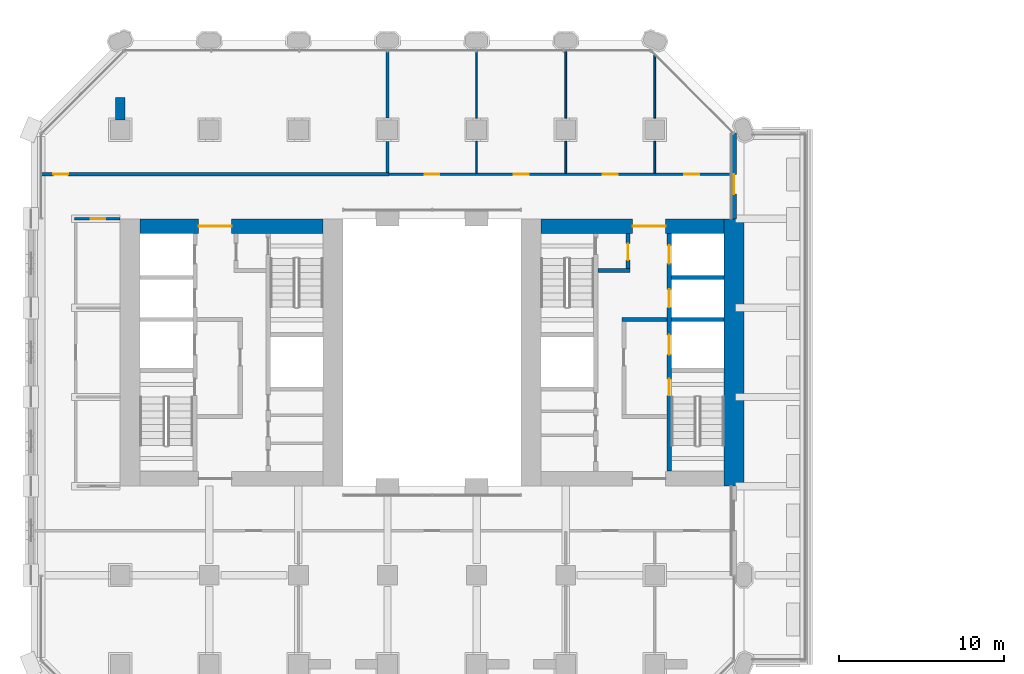
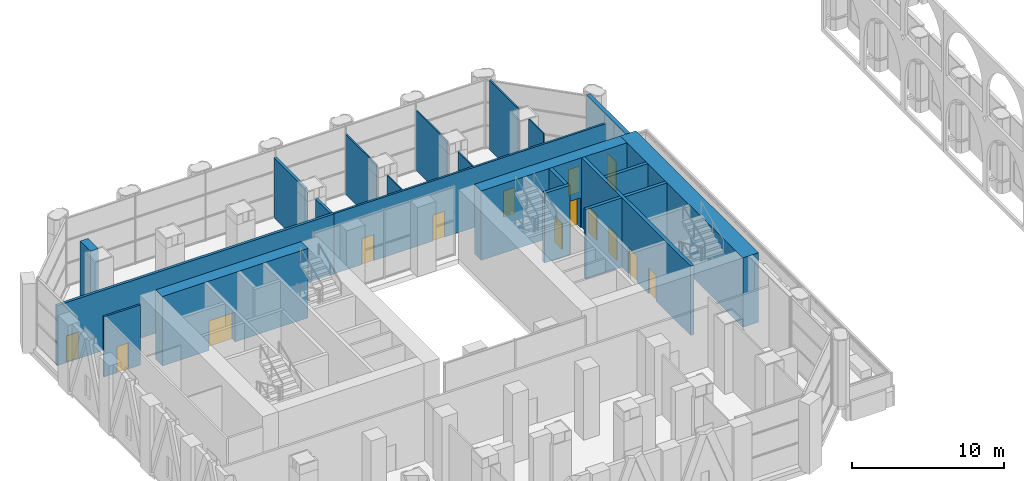
# One storey, part 14 of 34: 22 walls, 14 doors, 14 openings.
"""IFC4 building model written with IfcOpenShell, lengths in metres."""

import ifcopenshell
import ifcopenshell.guid

model = None  # the IFC model being written
_history = None  # IfcOwnerHistory: only IFC2X3 demands one
_inside = {}  # id of a spatial element -> (the spatial element, [elements in it])
_under = {}  # id of a project, library or spatial element -> (it, [spatial elements below it])
_declared = {}  # id of a project -> (the project, [libraries it declares])
_typed = {}  # id of a type object -> (the type object, [elements of that type])
_made_of = {}  # id of a material, layer set ... -> (it, [elements and type objects made of it])


def new_model(schema):
    """Start an empty IFC model of exactly this schema.

    Asked for "IFC4X3", IfcOpenShell would pick the latest addendum, in which some entities
    have other attributes; the version numbers below select the first issue.
    IFC2X3 requires an IfcOwnerHistory on every rooted entity: one is made here for all.
    """
    global model, _history
    if schema == "IFC4X3":
        model = ifcopenshell.file(schema_version=(4, 3, 0, 0))
    else:
        model = ifcopenshell.file(schema=schema)
    _inside.clear()
    _under.clear()
    _declared.clear()
    _typed.clear()
    _made_of.clear()
    _history = None
    if model.schema == "IFC2X3":
        org = make("IfcOrganization", Name="unknown")
        user = make(
            "IfcPersonAndOrganization",
            ThePerson=make("IfcPerson", FamilyName="unknown"),
            TheOrganization=org,
        )
        app = make(
            "IfcApplication",
            ApplicationDeveloper=org,
            Version="unknown",
            ApplicationFullName="unknown",
            ApplicationIdentifier="unknown",
        )
        _history = make(
            "IfcOwnerHistory",
            OwningUser=user,
            OwningApplication=app,
            ChangeAction="ADDED",
            CreationDate=0,
        )
    return model


def make(cls, **values):
    """One entity of the class cls with the attributes given. An attribute that is None is left unset."""
    return model.create_entity(
        cls, **{name: value for name, value in values.items() if value is not None}
    )


def rooted(cls, **values):
    """An entity with a GlobalId (a new one), such as an element, a storey or a relation."""
    return make(cls, GlobalId=ifcopenshell.guid.new(), OwnerHistory=_history, **values)


def si_unit(unit_type, name, prefix=None):
    """IfcSIUnit, for example si_unit("LENGTHUNIT", "METRE", prefix="MILLI")."""
    return make("IfcSIUnit", UnitType=unit_type, Prefix=prefix, Name=name)


def assignment(units):
    """IfcUnitAssignment: the units of a project."""
    return None if units is None else make("IfcUnitAssignment", Units=units)


def point(xyz):
    """IfcCartesianPoint."""
    return None if xyz is None else make("IfcCartesianPoint", Coordinates=xyz)


def direction(xyz):
    """IfcDirection."""
    return None if xyz is None else make("IfcDirection", DirectionRatios=xyz)


def frame(location, z_axis=None, x_axis=None):
    """IfcAxis2Placement3D, a coordinate frame: its origin and axes. An axis left out is left unset."""
    return make(
        "IfcAxis2Placement3D",
        Location=point(location),
        Axis=direction(z_axis),
        RefDirection=direction(x_axis),
    )


def frame_2d(location, x_axis=None):
    """IfcAxis2Placement2D, a coordinate frame in the plane: its origin and x axis."""
    return make(
        "IfcAxis2Placement2D", Location=point(location), RefDirection=direction(x_axis)
    )


def origin():
    """The frame at (0, 0, 0) with its axes left unset."""
    return frame((0.0, 0.0, 0.0))


def place(relative_to, where):
    """IfcLocalPlacement: puts the frame where relative to a parent placement (None: the world)."""
    return make(
        "IfcLocalPlacement", PlacementRelTo=relative_to, RelativePlacement=where
    )


def context(
    kind, dimensions, precision=None, world=None, true_north=None, identifier=None
):
    """IfcGeometricRepresentationContext, for example the 3D "Model" context."""
    return make(
        "IfcGeometricRepresentationContext",
        ContextIdentifier=identifier,
        ContextType=kind,
        CoordinateSpaceDimension=dimensions,
        Precision=precision,
        WorldCoordinateSystem=world,
        TrueNorth=true_north,
    )


def subcontext(parent, identifier, kind, view, scale=None):
    """IfcGeometricRepresentationSubContext, for example "Body" below "Model"."""
    return make(
        "IfcGeometricRepresentationSubContext",
        ContextIdentifier=identifier,
        ContextType=kind,
        ParentContext=parent,
        TargetScale=scale,
        TargetView=view,
    )


def project(units=None, contexts=None):
    """IfcProject with its units and contexts."""
    return rooted(
        "IfcProject",
        Name="project",
        RepresentationContexts=contexts,
        UnitsInContext=assignment(units),
    )


def spatial(cls, under=None, at=None, **own):
    """A site, building, storey or space (cls), placed at a placement, below another one or the project."""
    s = rooted(cls, ObjectPlacement=at, **own)
    if under is not None:
        _under.setdefault(under.id(), (under, []))[1].append(s)
    return s


def profile(cls, at=None, kind="AREA", **sizes):
    """A parametric profile (cls). Its sizes go by their IFC names, for example OverallWidth=200.0."""
    return make(cls, ProfileType=kind, Position=at, **sizes)


def rectangle(**sizes):
    """IfcRectangleProfileDef."""
    return profile("IfcRectangleProfileDef", **sizes)


def extrude(swept, where, along, depth):
    """IfcExtrudedAreaSolid: the profile swept, set in the frame where, extruded along a direction by depth."""
    return make(
        "IfcExtrudedAreaSolid",
        SweptArea=swept,
        Position=where,
        ExtrudedDirection=direction(along),
        Depth=depth,
    )


def shape(context_of_items, identifier, shape_type, items):
    """IfcShapeRepresentation: the items that make up one representation, for example the "Body"."""
    return make(
        "IfcShapeRepresentation",
        ContextOfItems=context_of_items,
        RepresentationIdentifier=identifier,
        RepresentationType=shape_type,
        Items=items,
    )


def material(Name=None, Category=None):
    """IfcMaterial."""
    return make("IfcMaterial", Name=Name, Category=Category)


def layer(
    of_material, thickness, ventilated=None, Name=None, Category=None, Priority=None
):
    """IfcMaterialLayer: one layer of a wall or slab, of a material (None: an air gap)."""
    return make(
        "IfcMaterialLayer",
        Material=of_material,
        LayerThickness=thickness,
        IsVentilated=ventilated,
        Name=Name,
        Category=Category,
        Priority=Priority,
    )


def layer_set(layers, Name=None):
    """IfcMaterialLayerSet."""
    return make("IfcMaterialLayerSet", MaterialLayers=layers, LayerSetName=Name)


def made_of(thing, what):
    """Note that an element or type object is made of a material, layer set ...; save() writes the relation."""
    if what is not None:
        _made_of.setdefault(what.id(), (what, []))[1].append(thing)
    return thing


def type_object(cls, material=None, **own):
    """A type object (cls), such as IfcWallType, which elements share."""
    return made_of(rooted(cls, **own), material)


def element(
    cls,
    number,
    at=None,
    inside=None,
    cuts=None,
    type_object=None,
    material=None,
    context=None,
    identifier="Body",
    shape_type=None,
    held_by="IfcProductDefinitionShape",
    body=None,
    shapes=None,
    **own,
):
    """One element of the class cls, such as IfcWall. Its Tag is "e" and its number.

    at: its placement. inside: the storey or other place that contains it. cuts: it is an
    opening in that element (IfcRelVoidsElement). A single representation is given by context,
    identifier, shape_type and body (its items); several are given by shapes. held_by: the class
    of the entity that holds the representations. save() writes the other relations.
    """
    e = rooted(cls, Tag="e%d" % number, ObjectPlacement=at, **own)
    if body is not None:
        shapes = [shape(context, identifier, shape_type, body)]
    if shapes is not None:
        e.Representation = make(held_by, Representations=shapes)
    if inside is not None:
        _inside.setdefault(inside.id(), (inside, []))[1].append(e)
    if cuts is not None:
        rooted(
            "IfcRelVoidsElement", RelatingBuildingElement=cuts, RelatedOpeningElement=e
        )
    if type_object is not None:
        _typed.setdefault(type_object.id(), (type_object, []))[1].append(e)
    return made_of(e, material)


def fill(opening, filler):
    """IfcRelFillsElement: the door or window that sits in an opening."""
    return rooted(
        "IfcRelFillsElement",
        RelatingOpeningElement=opening,
        RelatedBuildingElement=filler,
    )


def aggregate(whole, parts):
    """IfcRelAggregates: a whole, such as a stair, and the parts it consists of."""
    return rooted("IfcRelAggregates", RelatingObject=whole, RelatedObjects=parts)


def save(model, path):
    """Write the relations noted so far, then the file.

    IfcRelAggregates (storeys below a building ...), IfcRelContainedInSpatialStructure (elements
    in a storey), IfcRelDefinesByType, IfcRelAssociatesMaterial and IfcRelDeclares: one each for
    every whole, place, type object, material and project.
    """
    for whole, parts in _under.values():
        aggregate(whole, parts)
    for where, things in _inside.values():
        rooted(
            "IfcRelContainedInSpatialStructure",
            RelatedElements=things,
            RelatingStructure=where,
        )
    for kind, things in _typed.values():
        rooted("IfcRelDefinesByType", RelatedObjects=things, RelatingType=kind)
    for what, things in _made_of.values():
        rooted("IfcRelAssociatesMaterial", RelatedObjects=things, RelatingMaterial=what)
    for by, libraries in _declared.values():
        rooted("IfcRelDeclares", RelatingContext=by, RelatedDefinitions=libraries)
    model.write(path)


model = new_model("IFC4")

# Units and contexts
model_context = context("Model", 3, precision=1e-05, world=origin(), true_north=direction((0.0, 1.0)))
body_context = subcontext(model_context, "Body", "Model", "MODEL_VIEW")
ifc_project = project(units=[si_unit("LENGTHUNIT", "METRE"), si_unit("AREAUNIT", "SQUARE_METRE"), si_unit("VOLUMEUNIT", "CUBIC_METRE"), si_unit("PLANEANGLEUNIT", "RADIAN"), si_unit("MASSUNIT", "GRAM", prefix="KILO")], contexts=[model_context])

# Site, building, storey
site_placement = place(None, origin())
site = spatial("IfcSite", under=ifc_project, at=site_placement, CompositionType="ELEMENT")
building_placement = place(site_placement, origin())
building = spatial("IfcBuilding", under=site, at=building_placement, Name="Tabaq Tower and Sports Hall", CompositionType="ELEMENT")
storey_placement = place(building_placement, frame((0.0, 0.0, 8.39990234375)))
storey = spatial("IfcBuildingStorey", under=building, at=storey_placement, Name="L01", CompositionType="ELEMENT", Elevation=8.39990234375)

# Wall
ifc_material_1 = material(Name="Concrete C60/75", Category="concrete")
ifc_layer_1 = layer(ifc_material_1, 1.199951171875)
ifc_layer_set_1 = layer_set([ifc_layer_1], Name="Core wall 1200 Concrete C60/75")
wall_type_1 = type_object("IfcWallType", Name="Core wall 1200 Concrete C60/75", PredefinedType="SOLIDWALL", material=ifc_layer_set_1)
wall_1_placement = place(storey_placement, frame((42.60009765625, 32.39990234375, 0.0), z_axis=(0.0, 0.0, 1.0), x_axis=(0.0, -1.0, 0.0)))
element("IfcWall", 1, at=wall_1_placement, inside=storey, type_object=wall_type_1, Name="Core wall E L01", PredefinedType="SOLIDWALL", context=body_context, shape_type="SweptSolid", body=[
    extrude(rectangle(XDim=16.199951171875, YDim=1.199951171875, at=frame_2d((8.10009765625, 0.0))), origin(), (0.0, 0.0, 1.0), 5.60009765625),
])

# Wall, opening, door
ifc_material_2 = material(Name="Concrete C60/75", Category="concrete")
ifc_layer_2 = layer(ifc_material_2, 0.89990234375)
ifc_layer_set_2 = layer_set([ifc_layer_2], Name="Core wall 900 Concrete C60/75")
wall_type_2 = type_object("IfcWallType", Name="Core wall 900 Concrete C60/75", PredefinedType="SOLIDWALL", material=ifc_layer_set_2)
wall_2_placement = place(storey_placement, frame((6.60009765625, 31.949951171875, 0.0), z_axis=(0.0, 0.0, 1.0), x_axis=(1.0, 0.0, 0.0)))
wall_2 = element("IfcWall", 2, at=wall_2_placement, inside=storey, type_object=wall_type_2, Name="Core wall W L01", PredefinedType="SOLIDWALL", context=body_context, shape_type="SweptSolid", body=[
    extrude(rectangle(XDim=11.099853515625, YDim=0.89990234375, at=frame_2d((5.5498046875, 0.0))), origin(), (0.0, 0.0, 1.0), 5.60009765625),
])
opening_1_placement = place(wall_2_placement, frame((3.550048828125, 0.0, 0.0)))
opening_1 = element("IfcOpeningElement", 3, at=opening_1_placement, cuts=wall_2, Name="Opening PD-WL01-02", PredefinedType="OPENING", context=body_context, shape_type="SweptSolid", body=[
    extrude(rectangle(XDim=2.0, YDim=2.39990234375, at=frame_2d((1.0, 1.199951171875))), frame((0.0, 0.449951171875, 0.0), z_axis=(0.0, -1.0, 0.0), x_axis=(1.0, 0.0, 0.0)), (0.0, 0.0, 1.0), 0.89990234375),
])
ifc_material_3 = material(Name="Steel fire door", Category="steel")
door_type_1 = type_object("IfcDoorType", Name="Core entrance door 2000", OperationType="DOUBLE_DOOR_SINGLE_SWING", PredefinedType="DOOR", material=ifc_material_3)
door_1_placement = place(opening_1_placement, origin())
door_1 = element("IfcDoor", 4, at=door_1_placement, inside=storey, type_object=door_type_1, Name="Core entrance north W L01", OperationType="DOUBLE_DOOR_SINGLE_SWING", OverallHeight=2.39990234375, OverallWidth=2.0, PredefinedType="DOOR", context=body_context, shape_type="SweptSolid", body=[
    extrude(rectangle(XDim=2.0, YDim=2.39990234375, at=frame_2d((1.0, 1.199951171875))), frame((0.0, 0.02490234375, 0.0), z_axis=(0.0, -1.0, 0.0), x_axis=(1.0, 0.0, 0.0)), (0.0, 0.0, 1.0), 0.050048828125),
])
fill(opening_1, door_1)

wall_3_placement = place(storey_placement, frame((30.89990234375, 31.949951171875, 0.0), z_axis=(0.0, 0.0, 1.0), x_axis=(1.0, 0.0, 0.0)))
wall_3 = element("IfcWall", 5, at=wall_3_placement, inside=storey, type_object=wall_type_2, Name="Core wall E L01", PredefinedType="SOLIDWALL", context=body_context, shape_type="SweptSolid", body=[
    extrude(rectangle(XDim=11.10009765625, YDim=0.89990234375, at=frame_2d((5.550048828125, 0.0))), origin(), (0.0, 0.0, 1.0), 5.60009765625),
])
opening_2_placement = place(wall_3_placement, frame((5.550048828125, 0.0, 0.0)))
opening_2 = element("IfcOpeningElement", 6, at=opening_2_placement, cuts=wall_3, Name="Opening PD-EL01-02", PredefinedType="OPENING", context=body_context, shape_type="SweptSolid", body=[
    extrude(rectangle(XDim=2.0, YDim=2.39990234375, at=frame_2d((1.0, 1.199951171875))), frame((0.0, 0.449951171875, 0.0), z_axis=(0.0, -1.0, 0.0), x_axis=(1.0, 0.0, 0.0)), (0.0, 0.0, 1.0), 0.89990234375),
])
door_2_placement = place(opening_2_placement, origin())
door_2 = element("IfcDoor", 7, at=door_2_placement, inside=storey, type_object=door_type_1, Name="Core entrance north E L01", OperationType="DOUBLE_DOOR_SINGLE_SWING", OverallHeight=2.39990234375, OverallWidth=2.0, PredefinedType="DOOR", context=body_context, shape_type="SweptSolid", body=[
    extrude(rectangle(XDim=2.0, YDim=2.39990234375, at=frame_2d((1.0, 1.199951171875))), frame((0.0, 0.02490234375, 0.0), z_axis=(0.0, -1.0, 0.0), x_axis=(1.0, 0.0, 0.0)), (0.0, 0.0, 1.0), 0.050048828125),
])
fill(opening_2, door_2)

ifc_material_4 = material(Name="Blockwork", Category="masonry")
ifc_layer_3 = layer(ifc_material_4, 0.199951171875)
ifc_layer_set_3 = layer_set([ifc_layer_3], Name="Fire compartment wall 200 Blockwork")
wall_type_3 = type_object("IfcWallType", Name="Fire compartment wall 200 Blockwork", PredefinedType="PARTITIONING", material=ifc_layer_set_3)
wall_4_placement = place(storey_placement, frame((0.60009765625, 35.10009765625, 0.0), z_axis=(0.0, 0.0, 1.0), x_axis=(1.0, 0.0, 0.0)))
wall_4 = element("IfcWall", 8, at=wall_4_placement, inside=storey, type_object=wall_type_3, Name="Compartment wall L01", PredefinedType="PARTITIONING", context=body_context, shape_type="SweptSolid", body=[
    extrude(rectangle(XDim=21.099853515625, YDim=0.199951171875, at=frame_2d((10.5498046875, 0.0))), origin(), (0.0, 0.0, 1.0), 4.85009765625),
])
opening_3_placement = place(wall_4_placement, frame((0.75, 0.0, 0.0)))
opening_3 = element("IfcOpeningElement", 9, at=opening_3_placement, cuts=wall_4, Name="Opening L01-001", PredefinedType="OPENING", context=body_context, shape_type="SweptSolid", body=[
    extrude(rectangle(XDim=0.89990234375, YDim=2.10009765625, at=frame_2d((0.449951171875, 1.050048828125))), frame((0.0, 0.10009765625, 0.0), z_axis=(0.0, -1.0, 0.0), x_axis=(1.0, 0.0, 0.0)), (0.0, 0.0, 1.0), 0.199951171875),
])
ifc_material_5 = material(Name="Timber leaf in steel frame", Category="steel")
door_type_2 = type_object("IfcDoorType", Name="Internal door 900 right hand", OperationType="SINGLE_SWING_RIGHT", PredefinedType="DOOR", material=ifc_material_5)
door_3_placement = place(opening_3_placement, origin())
door_3 = element("IfcDoor", 10, at=door_3_placement, inside=storey, type_object=door_type_2, Name="Internal door L01-001", OperationType="SINGLE_SWING_RIGHT", OverallHeight=2.10009765625, OverallWidth=0.89990234375, PredefinedType="DOOR", context=body_context, shape_type="SweptSolid", body=[
    extrude(rectangle(XDim=0.89990234375, YDim=2.10009765625, at=frame_2d((0.449951171875, 1.050048828125))), frame((0.0, 0.02490234375, 0.0), z_axis=(0.0, -1.0, 0.0), x_axis=(1.0, 0.0, 0.0)), (0.0, 0.0, 1.0), 0.050048828125),
])
fill(opening_3, door_3)

# Walls
wall_5_placement = place(storey_placement, frame((21.60009765625, 35.199951171875, 0.0), z_axis=(0.0, 0.0, 1.0), x_axis=(0.0, 1.0, 0.0)))
element("IfcWall", 11, at=wall_5_placement, inside=storey, type_object=wall_type_3, Name="Compartment wall L01", PredefinedType="PARTITIONING", context=body_context, shape_type="SweptSolid", body=[
    extrude(rectangle(XDim=1.8994140625, YDim=0.199951171875, at=frame_2d((0.94970703125, 0.0))), origin(), (0.0, 0.0, 1.0), 4.85009765625),
])
wall_6_placement = place(storey_placement, frame((21.60009765625, 38.500732421875, 0.0), z_axis=(0.0, 0.0, 1.0), x_axis=(0.0, 1.0, 0.0)))
element("IfcWall", 12, at=wall_6_placement, inside=storey, type_object=wall_type_3, Name="Compartment wall L01", PredefinedType="PARTITIONING", context=body_context, shape_type="SweptSolid", body=[
    extrude(rectangle(XDim=4.099365234375, YDim=0.199951171875, at=frame_2d((2.0498046875, 0.0))), origin(), (0.0, 0.0, 1.0), 4.85009765625),
])
ifc_material_6 = material(Name="Gypsum board on steel studs", Category="steel")
ifc_layer_4 = layer(ifc_material_6, 0.10009765625)
ifc_layer_set_4 = layer_set([ifc_layer_4], Name="Partition 100 Gypsum board")
wall_type_4 = type_object("IfcWallType", Name="Partition 100 Gypsum board", PredefinedType="PARTITIONING", material=ifc_layer_set_4)
wall_7_placement = place(storey_placement, frame((27.0, 35.175048828125, 0.0), z_axis=(0.0, 0.0, 1.0), x_axis=(0.0, 1.0, 0.0)))
element("IfcWall", 13, at=wall_7_placement, inside=storey, type_object=wall_type_4, Name="Partition wall L01", PredefinedType="PARTITIONING", context=body_context, shape_type="SweptSolid", body=[
    extrude(rectangle(XDim=1.92431640625, YDim=0.10009765625, at=frame_2d((0.962158203125, 0.0))), origin(), (0.0, 0.0, 1.0), 4.85009765625),
])
wall_8_placement = place(storey_placement, frame((27.0, 38.500732421875, 0.0), z_axis=(0.0, 0.0, 1.0), x_axis=(0.0, 1.0, 0.0)))
element("IfcWall", 14, at=wall_8_placement, inside=storey, type_object=wall_type_4, Name="Partition wall L01", PredefinedType="PARTITIONING", context=body_context, shape_type="SweptSolid", body=[
    extrude(rectangle(XDim=4.099365234375, YDim=0.10009765625, at=frame_2d((2.0498046875, 0.0))), origin(), (0.0, 0.0, 1.0), 4.85009765625),
])
wall_9_placement = place(storey_placement, frame((32.39990234375, 35.175048828125, 0.0), z_axis=(0.0, 0.0, 1.0), x_axis=(0.0, 1.0, 0.0)))
element("IfcWall", 15, at=wall_9_placement, inside=storey, type_object=wall_type_4, Name="Partition wall L01", PredefinedType="PARTITIONING", context=body_context, shape_type="SweptSolid", body=[
    extrude(rectangle(XDim=1.92431640625, YDim=0.10009765625, at=frame_2d((0.962158203125, 0.0))), origin(), (0.0, 0.0, 1.0), 4.85009765625),
])
wall_10_placement = place(storey_placement, frame((32.39990234375, 38.500732421875, 0.0), z_axis=(0.0, 0.0, 1.0), x_axis=(0.0, 1.0, 0.0)))
element("IfcWall", 16, at=wall_10_placement, inside=storey, type_object=wall_type_4, Name="Partition wall L01", PredefinedType="PARTITIONING", context=body_context, shape_type="SweptSolid", body=[
    extrude(rectangle(XDim=4.099365234375, YDim=0.10009765625, at=frame_2d((2.0498046875, 0.0))), origin(), (0.0, 0.0, 1.0), 4.85009765625),
])
wall_11_placement = place(storey_placement, frame((37.800048828125, 35.175048828125, 0.0), z_axis=(0.0, 0.0, 1.0), x_axis=(0.0, 1.0, 0.0)))
element("IfcWall", 17, at=wall_11_placement, inside=storey, type_object=wall_type_4, Name="Partition wall L01", PredefinedType="PARTITIONING", context=body_context, shape_type="SweptSolid", body=[
    extrude(rectangle(XDim=1.92431640625, YDim=0.10009765625, at=frame_2d((0.962158203125, 0.0))), origin(), (0.0, 0.0, 1.0), 5.60009765625),
])
wall_12_placement = place(storey_placement, frame((37.800048828125, 38.500732421875, 0.0), z_axis=(0.0, 0.0, 1.0), x_axis=(0.0, 1.0, 0.0)))
element("IfcWall", 18, at=wall_12_placement, inside=storey, type_object=wall_type_4, Name="Partition wall L01", PredefinedType="PARTITIONING", context=body_context, shape_type="SweptSolid", body=[
    extrude(rectangle(XDim=3.80078125, YDim=0.10009765625, at=frame_2d((1.900390625, 0.0))), origin(), (0.0, 0.0, 1.0), 5.60009765625),
])
ifc_material_7 = material(Name="Concrete C60/75", Category="concrete")
ifc_layer_5 = layer(ifc_material_7, 0.60009765625)
ifc_layer_set_5 = layer_set([ifc_layer_5], Name="RC TRANSFER WALL 600 C60/75")
wall_type_5 = type_object("IfcWallType", Name="RC TRANSFER WALL 600 C60/75", PredefinedType="SHEAR", material=ifc_layer_set_5)
wall_13_placement = place(storey_placement, frame((5.39990234375, 38.39990234375, 0.0), z_axis=(0.0, 0.0, 1.0), x_axis=(0.0, 1.0, 0.0)))
element("IfcWall", 19, at=wall_13_placement, inside=storey, type_object=wall_type_5, Name="Transfer Wall L01 West 1", PredefinedType="SHEAR", context=body_context, shape_type="SweptSolid", body=[
    extrude(rectangle(XDim=1.356201171875, YDim=0.60009765625, at=frame_2d((0.67822265625, 0.0))), origin(), (0.0, 0.0, 1.0), 5.60009765625),
])

# Wall, openings, doors
ifc_material_8 = material(Name="Blockwork", Category="masonry")
ifc_layer_6 = layer(ifc_material_8, 0.14990234375)
ifc_layer_set_6 = layer_set([ifc_layer_6], Name="Separating wall 150 Blockwork")
wall_type_6 = type_object("IfcWallType", Name="Separating wall 150 Blockwork", PredefinedType="PARTITIONING", material=ifc_layer_set_6)
wall_14_placement = place(storey_placement, frame((21.699951171875, 35.10009765625, 0.0), z_axis=(0.0, 0.0, 1.0), x_axis=(1.0, 0.0, 0.0)))
wall_14 = element("IfcWall", 20, at=wall_14_placement, inside=storey, type_object=wall_type_6, Name="Separating wall L01", PredefinedType="PARTITIONING", context=body_context, shape_type="SweptSolid", body=[
    extrude(rectangle(XDim=20.7490234375, YDim=0.14990234375, at=frame_2d((10.37451171875, 0.0))), origin(), (0.0, 0.0, 1.0), 4.85009765625),
])
opening_4_placement = place(wall_14_placement, frame((2.14990234375, 0.0, 0.0)))
opening_4 = element("IfcOpeningElement", 21, at=opening_4_placement, cuts=wall_14, Name="Opening L01-002", PredefinedType="OPENING", context=body_context, shape_type="SweptSolid", body=[
    extrude(rectangle(XDim=0.89990234375, YDim=2.10009765625, at=frame_2d((0.449951171875, 1.050048828125))), frame((0.0, 0.074951171875, 0.0), z_axis=(0.0, -1.0, 0.0), x_axis=(1.0, 0.0, 0.0)), (0.0, 0.0, 1.0), 0.14990234375),
])
opening_5_placement = place(wall_14_placement, frame((7.550048828125, 0.0, 0.0)))
opening_5 = element("IfcOpeningElement", 22, at=opening_5_placement, cuts=wall_14, Name="Opening L01-003", PredefinedType="OPENING", context=body_context, shape_type="SweptSolid", body=[
    extrude(rectangle(XDim=0.89990234375, YDim=2.10009765625, at=frame_2d((0.449951171875, 1.050048828125))), frame((0.0, 0.074951171875, 0.0), z_axis=(0.0, -1.0, 0.0), x_axis=(1.0, 0.0, 0.0)), (0.0, 0.0, 1.0), 0.14990234375),
])
opening_6_placement = place(wall_14_placement, frame((12.949951171875, 0.0, 0.0)))
opening_6 = element("IfcOpeningElement", 23, at=opening_6_placement, cuts=wall_14, Name="Opening L01-004", PredefinedType="OPENING", context=body_context, shape_type="SweptSolid", body=[
    extrude(rectangle(XDim=0.89990234375, YDim=2.10009765625, at=frame_2d((0.449951171875, 1.050048828125))), frame((0.0, 0.074951171875, 0.0), z_axis=(0.0, -1.0, 0.0), x_axis=(1.0, 0.0, 0.0)), (0.0, 0.0, 1.0), 0.14990234375),
])
opening_7_placement = place(wall_14_placement, frame((17.89990234375, 0.0, 0.0)))
opening_7 = element("IfcOpeningElement", 24, at=opening_7_placement, cuts=wall_14, Name="Opening L01-005", PredefinedType="OPENING", context=body_context, shape_type="SweptSolid", body=[
    extrude(rectangle(XDim=0.89990234375, YDim=2.10009765625, at=frame_2d((0.449951171875, 1.050048828125))), frame((0.0, 0.074951171875, 0.0), z_axis=(0.0, -1.0, 0.0), x_axis=(1.0, 0.0, 0.0)), (0.0, 0.0, 1.0), 0.14990234375),
])
ifc_material_9 = material(Name="Timber leaf in steel frame", Category="steel")
door_type_3 = type_object("IfcDoorType", Name="Internal door 900 left hand", OperationType="SINGLE_SWING_LEFT", PredefinedType="DOOR", material=ifc_material_9)
door_4_placement = place(opening_6_placement, origin())
door_4 = element("IfcDoor", 25, at=door_4_placement, inside=storey, type_object=door_type_3, Name="Internal door L01-004", OperationType="SINGLE_SWING_LEFT", OverallHeight=2.10009765625, OverallWidth=0.89990234375, PredefinedType="DOOR", context=body_context, shape_type="SweptSolid", body=[
    extrude(rectangle(XDim=0.89990234375, YDim=2.10009765625, at=frame_2d((0.449951171875, 1.050048828125))), frame((0.0, 0.02490234375, 0.0), z_axis=(0.0, -1.0, 0.0), x_axis=(1.0, 0.0, 0.0)), (0.0, 0.0, 1.0), 0.050048828125),
])
fill(opening_6, door_4)
door_5_placement = place(opening_7_placement, origin())
door_5 = element("IfcDoor", 26, at=door_5_placement, inside=storey, type_object=door_type_3, Name="Internal door L01-005", OperationType="SINGLE_SWING_LEFT", OverallHeight=2.10009765625, OverallWidth=0.89990234375, PredefinedType="DOOR", context=body_context, shape_type="SweptSolid", body=[
    extrude(rectangle(XDim=0.89990234375, YDim=2.10009765625, at=frame_2d((0.449951171875, 1.050048828125))), frame((0.0, 0.02490234375, 0.0), z_axis=(0.0, -1.0, 0.0), x_axis=(1.0, 0.0, 0.0)), (0.0, 0.0, 1.0), 0.050048828125),
])
fill(opening_7, door_5)
door_6_placement = place(opening_4_placement, origin())
door_6 = element("IfcDoor", 27, at=door_6_placement, inside=storey, type_object=door_type_2, Name="Internal door L01-002", OperationType="SINGLE_SWING_RIGHT", OverallHeight=2.10009765625, OverallWidth=0.89990234375, PredefinedType="DOOR", context=body_context, shape_type="SweptSolid", body=[
    extrude(rectangle(XDim=0.89990234375, YDim=2.10009765625, at=frame_2d((0.449951171875, 1.050048828125))), frame((0.0, 0.02490234375, 0.0), z_axis=(0.0, -1.0, 0.0), x_axis=(1.0, 0.0, 0.0)), (0.0, 0.0, 1.0), 0.050048828125),
])
fill(opening_4, door_6)
door_7_placement = place(opening_5_placement, origin())
door_7 = element("IfcDoor", 28, at=door_7_placement, inside=storey, type_object=door_type_2, Name="Internal door L01-003", OperationType="SINGLE_SWING_RIGHT", OverallHeight=2.10009765625, OverallWidth=0.89990234375, PredefinedType="DOOR", context=body_context, shape_type="SweptSolid", body=[
    extrude(rectangle(XDim=0.89990234375, YDim=2.10009765625, at=frame_2d((0.449951171875, 1.050048828125))), frame((0.0, 0.02490234375, 0.0), z_axis=(0.0, -1.0, 0.0), x_axis=(1.0, 0.0, 0.0)), (0.0, 0.0, 1.0), 0.050048828125),
])
fill(opening_5, door_7)

# Wall, opening, door
wall_15_placement = place(storey_placement, frame((5.39990234375, 32.39990234375, 0.0), z_axis=(0.0, 0.0, 1.0), x_axis=(-1.0, 0.0, 0.0)))
wall_15 = element("IfcWall", 29, at=wall_15_placement, inside=storey, type_object=wall_type_6, Name="Separating wall L01", PredefinedType="PARTITIONING", context=body_context, shape_type="SweptSolid", body=[
    extrude(rectangle(XDim=2.77490234375, YDim=0.14990234375, at=frame_2d((1.387451171875, 0.0))), origin(), (0.0, 0.0, 1.0), 4.85009765625),
])
opening_8_placement = place(wall_15_placement, frame((0.89990234375, 0.0, 0.0)))
opening_8 = element("IfcOpeningElement", 30, at=opening_8_placement, cuts=wall_15, Name="Opening L01-012", PredefinedType="OPENING", context=body_context, shape_type="SweptSolid", body=[
    extrude(rectangle(XDim=0.89990234375, YDim=2.10009765625, at=frame_2d((0.449951171875, 1.050048828125))), frame((0.0, 0.074951171875, 0.0), z_axis=(0.0, -1.0, 0.0), x_axis=(1.0, 0.0, 0.0)), (0.0, 0.0, 1.0), 0.14990234375),
])
door_8_placement = place(opening_8_placement, origin())
door_8 = element("IfcDoor", 31, at=door_8_placement, inside=storey, type_object=door_type_2, Name="Internal door L01-012", OperationType="SINGLE_SWING_RIGHT", OverallHeight=2.10009765625, OverallWidth=0.89990234375, PredefinedType="DOOR", context=body_context, shape_type="SweptSolid", body=[
    extrude(rectangle(XDim=0.89990234375, YDim=2.10009765625, at=frame_2d((0.449951171875, 1.050048828125))), frame((0.0, 0.02490234375, 0.0), z_axis=(0.0, -1.0, 0.0), x_axis=(1.0, 0.0, 0.0)), (0.0, 0.0, 1.0), 0.050048828125),
])
fill(opening_8, door_8)

# Wall, openings, doors
ifc_material_10 = material(Name="Concrete C40/50", Category="concrete")
ifc_layer_7 = layer(ifc_material_10, 0.25)
ifc_layer_set_7 = layer_set([ifc_layer_7], Name="Shaft and stair wall 250 Concrete C40/50")
wall_type_7 = type_object("IfcWallType", Name="Shaft and stair wall 250 Concrete C40/50", PredefinedType="SOLIDWALL", material=ifc_layer_set_7)
wall_16_placement = place(storey_placement, frame((38.675048828125, 17.10009765625, 0.0), z_axis=(0.0, 0.0, 1.0), x_axis=(0.0, 1.0, 0.0)))
wall_16 = element("IfcWall", 32, at=wall_16_placement, inside=storey, type_object=wall_type_7, Name="Shaft wall E L01", PredefinedType="SOLIDWALL", context=body_context, shape_type="SweptSolid", body=[
    extrude(rectangle(XDim=14.39990234375, YDim=0.25, at=frame_2d((7.199951171875, 0.0))), origin(), (0.0, 0.0, 1.0), 5.60009765625),
])
opening_9_placement = place(wall_16_placement, frame((4.60009765625, 0.0, 0.0)))
opening_9 = element("IfcOpeningElement", 33, at=opening_9_placement, cuts=wall_16, Name="Opening SD-EL01-03", PredefinedType="OPENING", context=body_context, shape_type="SweptSolid", body=[
    extrude(rectangle(XDim=1.0, YDim=2.10009765625, at=frame_2d((0.5, 1.050048828125))), frame((0.0, 0.125, 0.0), z_axis=(0.0, -1.0, 0.0), x_axis=(1.0, 0.0, 0.0)), (0.0, 0.0, 1.0), 0.25),
])
opening_10_placement = place(wall_16_placement, frame((7.0625, 0.0, 0.0)))
opening_10 = element("IfcOpeningElement", 34, at=opening_10_placement, cuts=wall_16, Name="Opening LD-FF2-L01", PredefinedType="OPENING", context=body_context, shape_type="SweptSolid", body=[
    extrude(rectangle(XDim=1.199951171875, YDim=2.10009765625, at=frame_2d((0.60009765625, 1.050048828125))), frame((0.0, 0.125, 0.0), z_axis=(0.0, -1.0, 0.0), x_axis=(1.0, 0.0, 0.0)), (0.0, 0.0, 1.0), 0.25),
])
opening_11_placement = place(wall_16_placement, frame((9.925048828125, 0.0, 0.0)))
opening_11 = element("IfcOpeningElement", 35, at=opening_11_placement, cuts=wall_16, Name="Opening LD-LR3-L01", PredefinedType="OPENING", context=body_context, shape_type="SweptSolid", body=[
    extrude(rectangle(XDim=1.10009765625, YDim=2.10009765625, at=frame_2d((0.550048828125, 1.050048828125))), frame((0.0, 0.125, 0.0), z_axis=(0.0, -1.0, 0.0), x_axis=(1.0, 0.0, 0.0)), (0.0, 0.0, 1.0), 0.25),
])
opening_12_placement = place(wall_16_placement, frame((12.58740234375, 0.0, 0.0)))
opening_12 = element("IfcOpeningElement", 36, at=opening_12_placement, cuts=wall_16, Name="Opening LD-LR4-L01", PredefinedType="OPENING", context=body_context, shape_type="SweptSolid", body=[
    extrude(rectangle(XDim=1.10009765625, YDim=2.10009765625, at=frame_2d((0.550048828125, 1.050048828125))), frame((0.0, 0.125, 0.0), z_axis=(0.0, -1.0, 0.0), x_axis=(1.0, 0.0, 0.0)), (0.0, 0.0, 1.0), 0.25),
])
ifc_material_11 = material(Name="Stainless steel", Category="steel")
door_type_4 = type_object("IfcDoorType", Name="Lift landing door 1100", OperationType="DOUBLE_DOOR_SLIDING", PredefinedType="DOOR", material=ifc_material_11)
door_9_placement = place(opening_11_placement, origin())
door_9 = element("IfcDoor", 37, at=door_9_placement, inside=storey, type_object=door_type_4, Name="Lift landing door LR3 E L01", OperationType="DOUBLE_DOOR_SLIDING", OverallHeight=2.10009765625, OverallWidth=1.10009765625, PredefinedType="DOOR", context=body_context, shape_type="SweptSolid", body=[
    extrude(rectangle(XDim=1.10009765625, YDim=2.10009765625, at=frame_2d((0.550048828125, 1.050048828125))), frame((0.0, 0.02490234375, 0.0), z_axis=(0.0, -1.0, 0.0), x_axis=(1.0, 0.0, 0.0)), (0.0, 0.0, 1.0), 0.050048828125),
])
fill(opening_11, door_9)
door_10_placement = place(opening_12_placement, origin())
door_10 = element("IfcDoor", 38, at=door_10_placement, inside=storey, type_object=door_type_4, Name="Lift landing door LR4 E L01", OperationType="DOUBLE_DOOR_SLIDING", OverallHeight=2.10009765625, OverallWidth=1.10009765625, PredefinedType="DOOR", context=body_context, shape_type="SweptSolid", body=[
    extrude(rectangle(XDim=1.10009765625, YDim=2.10009765625, at=frame_2d((0.550048828125, 1.050048828125))), frame((0.0, 0.02490234375, 0.0), z_axis=(0.0, -1.0, 0.0), x_axis=(1.0, 0.0, 0.0)), (0.0, 0.0, 1.0), 0.050048828125),
])
fill(opening_12, door_10)
ifc_material_12 = material(Name="Stainless steel", Category="steel")
door_type_5 = type_object("IfcDoorType", Name="Lift landing door 1200", OperationType="DOUBLE_DOOR_SLIDING", PredefinedType="DOOR", material=ifc_material_12)
door_11_placement = place(opening_10_placement, origin())
door_11 = element("IfcDoor", 39, at=door_11_placement, inside=storey, type_object=door_type_5, Name="Lift landing door FF2 E L01", OperationType="DOUBLE_DOOR_SLIDING", OverallHeight=2.10009765625, OverallWidth=1.199951171875, PredefinedType="DOOR", context=body_context, shape_type="SweptSolid", body=[
    extrude(rectangle(XDim=1.199951171875, YDim=2.10009765625, at=frame_2d((0.60009765625, 1.050048828125))), frame((0.0, 0.02490234375, 0.0), z_axis=(0.0, -1.0, 0.0), x_axis=(1.0, 0.0, 0.0)), (0.0, 0.0, 1.0), 0.050048828125),
])
fill(opening_10, door_11)
ifc_material_13 = material(Name="Steel fire door", Category="steel")
door_type_6 = type_object("IfcDoorType", Name="Stair door 1000", OperationType="SINGLE_SWING_LEFT", PredefinedType="DOOR", material=ifc_material_13)
door_12_placement = place(opening_9_placement, origin())
door_12 = element("IfcDoor", 40, at=door_12_placement, inside=storey, type_object=door_type_6, Name="Stair door ST3 E L01", OperationType="SINGLE_SWING_LEFT", OverallHeight=2.10009765625, OverallWidth=1.0, PredefinedType="DOOR", context=body_context, shape_type="SweptSolid", body=[
    extrude(rectangle(XDim=1.0, YDim=2.10009765625, at=frame_2d((0.5, 1.050048828125))), frame((0.0, 0.02490234375, 0.0), z_axis=(0.0, -1.0, 0.0), x_axis=(1.0, 0.0, 0.0)), (0.0, 0.0, 1.0), 0.050048828125),
])
fill(opening_9, door_12)

# Walls
wall_17_placement = place(storey_placement, frame((38.800048828125, 26.300048828125, 0.0), z_axis=(0.0, 0.0, 1.0), x_axis=(1.0, 0.0, 0.0)))
element("IfcWall", 41, at=wall_17_placement, inside=storey, type_object=wall_type_7, Name="Shaft wall E L01", PredefinedType="SOLIDWALL", context=body_context, shape_type="SweptSolid", body=[
    extrude(rectangle(XDim=3.199951171875, YDim=0.25, at=frame_2d((1.60009765625, 0.0))), origin(), (0.0, 0.0, 1.0), 5.60009765625),
])
wall_18_placement = place(storey_placement, frame((35.800048828125, 26.300048828125, 0.0), z_axis=(0.0, 0.0, 1.0), x_axis=(1.0, 0.0, 0.0)))
element("IfcWall", 42, at=wall_18_placement, inside=storey, type_object=wall_type_7, Name="Fire-fighting lobby wall E L01", PredefinedType="SOLIDWALL", context=body_context, shape_type="SweptSolid", body=[
    extrude(rectangle(XDim=2.75, YDim=0.25, at=frame_2d((1.375, 0.0))), origin(), (0.0, 0.0, 1.0), 5.60009765625),
])

# Wall, opening, door
wall_19_placement = place(storey_placement, frame((36.175048828125, 29.39990234375, 0.0), z_axis=(0.0, 0.0, 1.0), x_axis=(0.0, 1.0, 0.0)))
wall_19 = element("IfcWall", 43, at=wall_19_placement, inside=storey, type_object=wall_type_7, Name="Fire-fighting lobby wall E L01", PredefinedType="SOLIDWALL", context=body_context, shape_type="SweptSolid", body=[
    extrude(rectangle(XDim=2.10009765625, YDim=0.25, at=frame_2d((1.050048828125, 0.0))), origin(), (0.0, 0.0, 1.0), 5.60009765625),
])
opening_13_placement = place(wall_19_placement, frame((0.5, 0.0, 0.0)))
opening_13 = element("IfcOpeningElement", 44, at=opening_13_placement, cuts=wall_19, Name="Opening FD-EL01-06", PredefinedType="OPENING", context=body_context, shape_type="SweptSolid", body=[
    extrude(rectangle(XDim=1.0, YDim=2.10009765625, at=frame_2d((0.5, 1.050048828125))), frame((0.0, 0.125, 0.0), z_axis=(0.0, -1.0, 0.0), x_axis=(1.0, 0.0, 0.0)), (0.0, 0.0, 1.0), 0.25),
])
ifc_material_14 = material(Name="Steel fire door", Category="steel")
door_type_7 = type_object("IfcDoorType", Name="Fire-fighting lobby door 1000", OperationType="SINGLE_SWING_LEFT", PredefinedType="DOOR", material=ifc_material_14)
door_13_placement = place(opening_13_placement, origin())
door_13 = element("IfcDoor", 45, at=door_13_placement, inside=storey, type_object=door_type_7, Name="Stair lobby door E L01", OperationType="SINGLE_SWING_LEFT", OverallHeight=2.10009765625, OverallWidth=1.0, PredefinedType="DOOR", context=body_context, shape_type="SweptSolid", body=[
    extrude(rectangle(XDim=1.0, YDim=2.10009765625, at=frame_2d((0.5, 1.050048828125))), frame((0.0, 0.02490234375, 0.0), z_axis=(0.0, -1.0, 0.0), x_axis=(1.0, 0.0, 0.0)), (0.0, 0.0, 1.0), 0.050048828125),
])
fill(opening_13, door_13)

# Walls
wall_20_placement = place(storey_placement, frame((34.35009765625, 29.27490234375, 0.0), z_axis=(0.0, 0.0, 1.0), x_axis=(1.0, 0.0, 0.0)))
element("IfcWall", 46, at=wall_20_placement, inside=storey, type_object=wall_type_7, Name="Fire-fighting lobby wall E L01", PredefinedType="SOLIDWALL", context=body_context, shape_type="SweptSolid", body=[
    extrude(rectangle(XDim=1.949951171875, YDim=0.25, at=frame_2d((0.97509765625, 0.0))), origin(), (0.0, 0.0, 1.0), 5.60009765625),
])
wall_21_placement = place(storey_placement, frame((38.800048828125, 28.85009765625, 0.0), z_axis=(0.0, 0.0, 1.0), x_axis=(1.0, 0.0, 0.0)))
element("IfcWall", 47, at=wall_21_placement, inside=storey, type_object=wall_type_7, Name="Shaft wall E L01", PredefinedType="SOLIDWALL", context=body_context, shape_type="SweptSolid", body=[
    extrude(rectangle(XDim=3.199951171875, YDim=0.25, at=frame_2d((1.60009765625, 0.0))), origin(), (0.0, 0.0, 1.0), 5.60009765625),
])

# Wall, opening, door
ifc_material_15 = material(Name="White precast concrete C60/75", Category="concrete")
ifc_layer_8 = layer(ifc_material_15, 0.300048828125)
ifc_layer_set_8 = layer_set([ifc_layer_8], Name="White precast concrete C60/75 external wall 300")
wall_type_8 = type_object("IfcWallType", Name="White precast concrete C60/75 external wall 300", PredefinedType="SOLIDWALL", material=ifc_layer_set_8)
wall_22_placement = place(storey_placement, frame((42.60009765625, 32.39990234375, 0.0), z_axis=(0.0, 0.0, 1.0), x_axis=(0.0, 1.0, 0.0)))
wall_22 = element("IfcWall", 48, at=wall_22_placement, inside=storey, type_object=wall_type_8, Name="External Wall L01 E", PredefinedType="SOLIDWALL", context=body_context, shape_type="SweptSolid", body=[
    extrude(rectangle(XDim=5.213623046875, YDim=0.300048828125, at=frame_2d((2.60693359375, 0.0))), origin(), (0.0, 0.0, 1.0), 5.60009765625),
])
opening_14_placement = place(wall_22_placement, frame((1.5, 0.0, 0.0)))
opening_14 = element("IfcOpeningElement", 49, at=opening_14_placement, cuts=wall_22, Name="Opening TD0102", PredefinedType="OPENING", context=body_context, shape_type="SweptSolid", body=[
    extrude(rectangle(XDim=1.199951171875, YDim=2.39990234375, at=frame_2d((0.60009765625, 1.199951171875))), frame((0.0, 0.16015625, 0.0), z_axis=(0.0, -1.0, 0.0), x_axis=(1.0, 0.0, 0.0)), (0.0, 0.0, 1.0), 0.320068359375),
])
ifc_material_16 = material(Name="Aluminium framed clear glazing", Category="aluminium")
door_type_8 = type_object("IfcDoorType", Name="Terrace door TD2", OperationType="SINGLE_SWING_LEFT", PredefinedType="DOOR", material=ifc_material_16)
door_14_placement = place(opening_14_placement, origin())
door_14 = element("IfcDoor", 50, at=door_14_placement, inside=storey, type_object=door_type_8, Name="Terrace door TD0102", OperationType="SINGLE_SWING_LEFT", OverallHeight=2.39990234375, OverallWidth=1.199951171875, PredefinedType="DOOR", context=body_context, shape_type="SweptSolid", body=[
    extrude(rectangle(XDim=1.199951171875, YDim=2.39990234375, at=frame_2d((0.60009765625, 1.199951171875))), frame((0.0, 0.02490234375, 0.0), z_axis=(0.0, -1.0, 0.0), x_axis=(1.0, 0.0, 0.0)), (0.0, 0.0, 1.0), 0.050048828125),
])
fill(opening_14, door_14)

save(model, "model.ifc")
